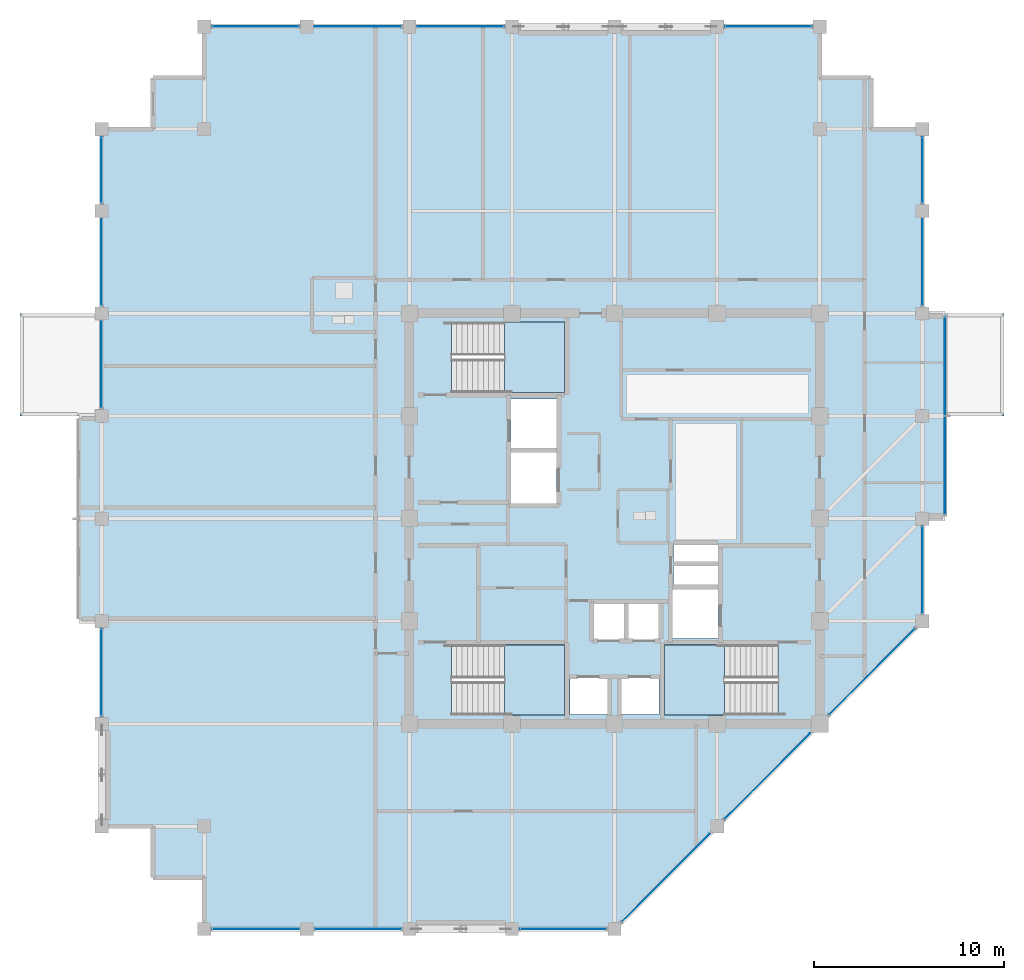
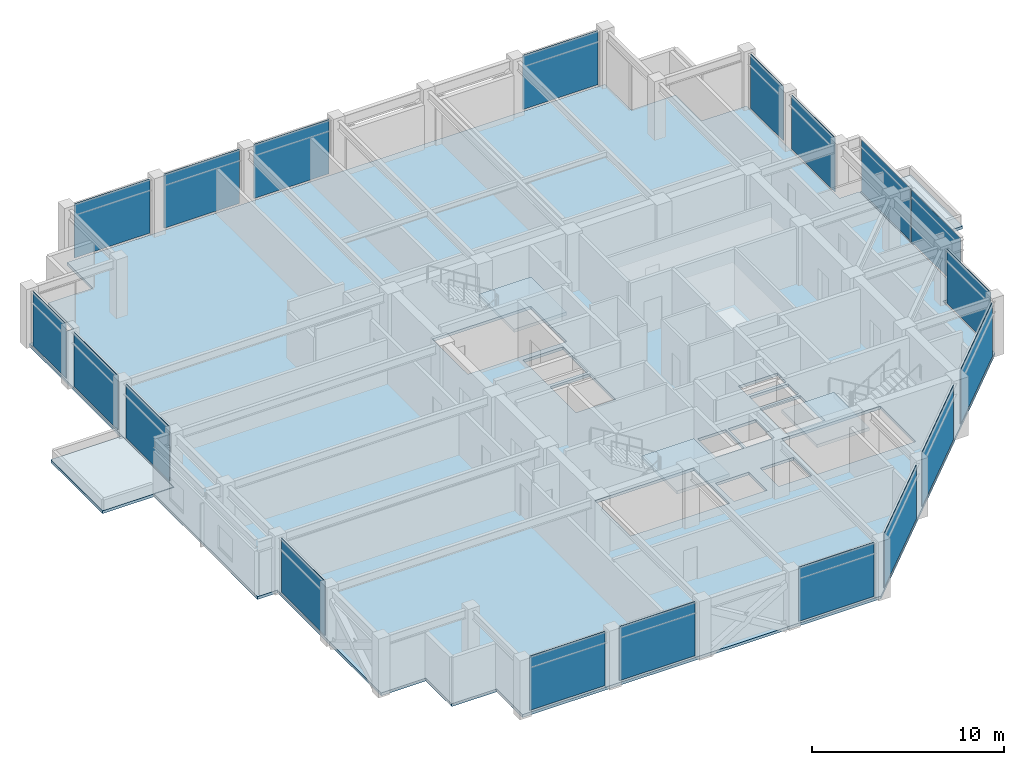
# One storey, part 22 of 31: 19 plates, 6 slabs, 13 elements without a shape of their own.
"""IFC4 building model written with IfcOpenShell, lengths in metres."""

from ifc_helpers import new_model, si_unit, direction, frame, frame_2d, origin, place, context, subcontext, project, spatial, polyline, rectangle, outline, extrude, material, layer, layer_set, type_object, element, aggregate, save


model = new_model("IFC4")

# Units and contexts
model_context = context("Model", 3, precision=1e-05, world=origin(), true_north=direction((0.0, 1.0)))
body_context = subcontext(model_context, "Body", "Model", "MODEL_VIEW")
ifc_project = project(units=[si_unit("LENGTHUNIT", "METRE"), si_unit("AREAUNIT", "SQUARE_METRE"), si_unit("VOLUMEUNIT", "CUBIC_METRE"), si_unit("PLANEANGLEUNIT", "RADIAN"), si_unit("MASSUNIT", "GRAM", prefix="KILO")], contexts=[model_context])

# Site, building, storey
site_placement = place(None, origin())
site = spatial("IfcSite", under=ifc_project, at=site_placement, CompositionType="ELEMENT")
building_placement = place(site_placement, origin())
building = spatial("IfcBuilding", under=site, at=building_placement, Name="Surkhivell Harbour Commons", CompositionType="ELEMENT")
storey_placement = place(building_placement, frame((0.0, 0.0, 270.0)))
storey = spatial("IfcBuildingStorey", under=building, at=storey_placement, Name="L70", CompositionType="ELEMENT", Elevation=270.0)

# Curtain wall, plates
ifc_material_1 = material(Name="Anodised pale-metal aluminium and insulated glazing", Category="aluminium")
ifc_layer_1 = layer(ifc_material_1, 0.1650390625)
ifc_layer_set_1 = layer_set([ifc_layer_1], Name="Anodised pale-metal aluminium and insulated glazing")
curtain_wall_type_1 = type_object("IfcCurtainWallType", Name="CW-SYS-BOX", PredefinedType="NOTDEFINED", material=ifc_layer_set_1)
curtain_wall_1_placement = place(storey_placement, origin())
curtain_wall_1 = element("IfcCurtainWall", 1, at=curtain_wall_1_placement, inside=storey, type_object=curtain_wall_type_1, Name="L70 Curtain Wall CW-L70-BOX01", PredefinedType="NOTDEFINED")
ifc_material_2 = material(Name="Triple-glazed bay-cluster vision glass", Category="glass")
ifc_layer_2 = layer(ifc_material_2, 0.028076171875)
ifc_layer_set_2 = layer_set([ifc_layer_2], Name="Triple-glazed bay-cluster vision glass")
plate_type_1 = type_object("IfcPlateType", Name="CWP-GLZ-28", PredefinedType="CURTAIN_PANEL", material=ifc_layer_set_2)
plate_1_placement = place(storey_placement, frame((17.39990234375, 0.219970703125, 0.1298828125), z_axis=(0.0, 0.0, 1.0), x_axis=(0.0, 1.0, 0.0)))
plate_1 = element("IfcPlate", 2, at=plate_1_placement, type_object=plate_type_1, Name="CW-BOX panel 1.1", PredefinedType="CURTAIN_PANEL", context=body_context, shape_type="SweptSolid", body=[
    extrude(rectangle(XDim=5.14501953125, YDim=0.028076171875, at=frame_2d((2.572509765625, 0.0))), origin(), (0.0, 0.0, 1.0), 3.31005859375),
])
plate_2_placement = place(storey_placement, frame((17.39990234375, 5.43505859375, 0.1298828125), z_axis=(0.0, 0.0, 1.0), x_axis=(0.0, 1.0, 0.0)))
plate_2 = element("IfcPlate", 3, at=plate_2_placement, type_object=plate_type_1, Name="CW-BOX panel 2.1", PredefinedType="CURTAIN_PANEL", context=body_context, shape_type="SweptSolid", body=[
    extrude(rectangle(XDim=5.14501953125, YDim=0.028076171875, at=frame_2d((2.572509765625, 0.0))), origin(), (0.0, 0.0, 1.0), 3.31005859375),
])
aggregate(curtain_wall_1, [plate_1, plate_2])

ifc_layer_3 = layer(ifc_material_1, 0.175048828125)
ifc_layer_set_3 = layer_set([ifc_layer_3], Name="Anodised pale-metal aluminium and insulated glazing")
curtain_wall_type_2 = type_object("IfcCurtainWallType", Name="CW-SYS-Z4", PredefinedType="NOTDEFINED", material=ifc_layer_set_3)
curtain_wall_2_placement = place(storey_placement, origin())
curtain_wall_2 = element("IfcCurtainWall", 4, at=curtain_wall_2_placement, inside=storey, type_object=curtain_wall_type_2, Name="L70 Curtain Wall CW-L70-E00S1", PredefinedType="NOTDEFINED")
ifc_material_3 = material(Name="Double-silver low-E laminated vision glass", Category="glass")
ifc_layer_4 = layer(ifc_material_3, 0.031982421875)
ifc_layer_set_4 = layer_set([ifc_layer_4], Name="Double-silver low-E laminated vision glass")
plate_type_2 = type_object("IfcPlateType", Name="CWP-GLZ-32", PredefinedType="CURTAIN_PANEL", material=ifc_layer_set_4)
plate_3_placement = place(storey_placement, frame((-21.173095703125, -21.60009765625, 0.1298828125), z_axis=(0.0, 0.0, 1.0), x_axis=(1.0, 0.0, 0.0)))
plate_3 = element("IfcPlate", 5, at=plate_3_placement, type_object=plate_type_2, Name="CW-Z4 panel 1.1", PredefinedType="CURTAIN_PANEL", context=body_context, shape_type="SweptSolid", body=[
    extrude(rectangle(XDim=4.546142578125, YDim=0.031982421875, at=frame_2d((2.27294921875, 0.0))), origin(), (0.0, 0.0, 1.0), 3.440185546875),
])
plate_4_placement = place(storey_placement, frame((-15.77294921875, -21.60009765625, 0.1298828125), z_axis=(0.0, 0.0, 1.0), x_axis=(1.0, 0.0, 0.0)))
plate_4 = element("IfcPlate", 6, at=plate_4_placement, type_object=plate_type_2, Name="CW-Z4 panel 2.1", PredefinedType="CURTAIN_PANEL", context=body_context, shape_type="SweptSolid", body=[
    extrude(rectangle(XDim=4.5458984375, YDim=0.031982421875, at=frame_2d((2.27294921875, 0.0))), origin(), (0.0, 0.0, 1.0), 3.440185546875),
])
aggregate(curtain_wall_2, [plate_3, plate_4])

# Curtain wall, plate
curtain_wall_3_placement = place(storey_placement, origin())
curtain_wall_3 = element("IfcCurtainWall", 7, at=curtain_wall_3_placement, inside=storey, type_object=curtain_wall_type_2, Name="L70 Curtain Wall CW-L70-E00S2", PredefinedType="NOTDEFINED")
plate_5_placement = place(storey_placement, frame((-4.972900390625, -21.60009765625, 0.1298828125), z_axis=(0.0, 0.0, 1.0), x_axis=(1.0, 0.0, 0.0)))
plate_5 = element("IfcPlate", 8, at=plate_5_placement, type_object=plate_type_2, Name="CW-Z4 panel 1.1", PredefinedType="CURTAIN_PANEL", context=body_context, shape_type="SweptSolid", body=[
    extrude(rectangle(XDim=4.5458984375, YDim=0.031982421875, at=frame_2d((2.27294921875, 0.0))), origin(), (0.0, 0.0, 1.0), 3.440185546875),
])
aggregate(curtain_wall_3, [plate_5])

# Curtain wall, plates
curtain_wall_4_placement = place(storey_placement, origin())
curtain_wall_4 = element("IfcCurtainWall", 9, at=curtain_wall_4_placement, inside=storey, type_object=curtain_wall_type_2, Name="L70 Curtain Wall CW-L70-E01", PredefinedType="NOTDEFINED")
plate_6_placement = place(storey_placement, frame((0.404541015625, -21.1953125, 0.1298828125), z_axis=(0.0, 0.0, 1.0), x_axis=(0.707125583467, 0.707087978406, 0.0)))
plate_6 = element("IfcPlate", 10, at=plate_6_placement, type_object=plate_type_2, Name="CW-Z4 panel 1.1", PredefinedType="CURTAIN_PANEL", context=body_context, shape_type="SweptSolid", body=[
    extrude(rectangle(XDim=6.4921875, YDim=0.031982421875, at=frame_2d((3.24609375, 0.0))), origin(), (0.0, 0.0, 1.0), 3.440185546875),
])
plate_7_placement = place(storey_placement, frame((5.8046875, -15.79541015625, 0.1298828125), z_axis=(0.0, 0.0, 1.0), x_axis=(0.707106781187, 0.707106781187, 0.0)))
plate_7 = element("IfcPlate", 11, at=plate_7_placement, type_object=plate_type_2, Name="CW-Z4 panel 2.1", PredefinedType="CURTAIN_PANEL", context=body_context, shape_type="SweptSolid", body=[
    extrude(rectangle(XDim=6.350830078125, YDim=0.031982421875, at=frame_2d((3.17529296875, 0.0))), origin(), (0.0, 0.0, 1.0), 3.440185546875),
])
plate_8_placement = place(storey_placement, frame((11.3046875, -10.29541015625, 0.1298828125), z_axis=(0.0, 0.0, 1.0), x_axis=(0.707106781187, 0.707106781187, 0.0)))
plate_8 = element("IfcPlate", 12, at=plate_8_placement, type_object=plate_type_2, Name="CW-Z4 panel 3.1", PredefinedType="CURTAIN_PANEL", context=body_context, shape_type="SweptSolid", body=[
    extrude(rectangle(XDim=6.350830078125, YDim=0.031982421875, at=frame_2d((3.17529296875, 0.0))), origin(), (0.0, 0.0, 1.0), 3.440185546875),
])
aggregate(curtain_wall_4, [plate_6, plate_7, plate_8])

# Curtain wall, plate
curtain_wall_5_placement = place(storey_placement, origin())
curtain_wall_5 = element("IfcCurtainWall", 13, at=curtain_wall_5_placement, inside=storey, type_object=curtain_wall_type_2, Name="L70 Curtain Wall CW-L70-E02R1", PredefinedType="NOTDEFINED")
plate_9_placement = place(storey_placement, frame((16.199951171875, -4.972900390625, 0.1298828125), z_axis=(0.0, 0.0, 1.0), x_axis=(0.0, 1.0, 0.0)))
plate_9 = element("IfcPlate", 14, at=plate_9_placement, type_object=plate_type_2, Name="CW-Z4 panel 1.1", PredefinedType="CURTAIN_PANEL", context=body_context, shape_type="SweptSolid", body=[
    extrude(rectangle(XDim=4.5458984375, YDim=0.031982421875, at=frame_2d((2.27294921875, 0.0))), origin(), (0.0, 0.0, 1.0), 3.440185546875),
])
aggregate(curtain_wall_5, [plate_9])

# Curtain wall, plates
curtain_wall_6_placement = place(storey_placement, origin())
curtain_wall_6 = element("IfcCurtainWall", 15, at=curtain_wall_6_placement, inside=storey, type_object=curtain_wall_type_2, Name="L70 Curtain Wall CW-L70-E02R2", PredefinedType="NOTDEFINED")
plate_10_placement = place(storey_placement, frame((16.199951171875, 11.22705078125, 0.1298828125), z_axis=(0.0, 0.0, 1.0), x_axis=(0.0, 1.0, 0.0)))
plate_10 = element("IfcPlate", 16, at=plate_10_placement, type_object=plate_type_2, Name="CW-Z4 panel 1.1", PredefinedType="CURTAIN_PANEL", context=body_context, shape_type="SweptSolid", body=[
    extrude(rectangle(XDim=4.5458984375, YDim=0.031982421875, at=frame_2d((2.27294921875, 0.0))), origin(), (0.0, 0.0, 1.0), 3.440185546875),
])
plate_11_placement = place(storey_placement, frame((16.199951171875, 16.626953125, 0.1298828125), z_axis=(0.0, 0.0, 1.0), x_axis=(0.0, 1.0, 0.0)))
plate_11 = element("IfcPlate", 17, at=plate_11_placement, type_object=plate_type_2, Name="CW-Z4 panel 2.1", PredefinedType="CURTAIN_PANEL", context=body_context, shape_type="SweptSolid", body=[
    extrude(rectangle(XDim=3.446044921875, YDim=0.031982421875, at=frame_2d((1.72314453125, 0.0))), origin(), (0.0, 0.0, 1.0), 3.440185546875),
])
aggregate(curtain_wall_6, [plate_10, plate_11])

# Curtain wall, plate
curtain_wall_7_placement = place(storey_placement, origin())
curtain_wall_7 = element("IfcCurtainWall", 18, at=curtain_wall_7_placement, inside=storey, type_object=curtain_wall_type_2, Name="L70 Curtain Wall CW-L70-E07S1", PredefinedType="NOTDEFINED")
plate_12_placement = place(storey_placement, frame((10.373046875, 25.89990234375, 0.1298828125), z_axis=(0.0, 0.0, 1.0), x_axis=(-1.0, 0.0, 0.0)))
plate_12 = element("IfcPlate", 19, at=plate_12_placement, type_object=plate_type_2, Name="CW-Z4 panel 1.1", PredefinedType="CURTAIN_PANEL", context=body_context, shape_type="SweptSolid", body=[
    extrude(rectangle(XDim=4.546142578125, YDim=0.031982421875, at=frame_2d((2.27294921875, 0.0))), origin(), (0.0, 0.0, 1.0), 3.440185546875),
])
aggregate(curtain_wall_7, [plate_12])

# Curtain wall, plates
curtain_wall_8_placement = place(storey_placement, origin())
curtain_wall_8 = element("IfcCurtainWall", 20, at=curtain_wall_8_placement, inside=storey, type_object=curtain_wall_type_2, Name="L70 Curtain Wall CW-L70-E07S2", PredefinedType="NOTDEFINED")
plate_13_placement = place(storey_placement, frame((-5.826904296875, 25.89990234375, 0.1298828125), z_axis=(0.0, 0.0, 1.0), x_axis=(-1.0, 0.0, 0.0)))
plate_13 = element("IfcPlate", 21, at=plate_13_placement, type_object=plate_type_2, Name="CW-Z4 panel 1.1", PredefinedType="CURTAIN_PANEL", context=body_context, shape_type="SweptSolid", body=[
    extrude(rectangle(XDim=4.546142578125, YDim=0.031982421875, at=frame_2d((2.27294921875, 0.0))), origin(), (0.0, 0.0, 1.0), 3.440185546875),
])
plate_14_placement = place(storey_placement, frame((-11.22705078125, 25.89990234375, 0.1298828125), z_axis=(0.0, 0.0, 1.0), x_axis=(-1.0, 0.0, 0.0)))
plate_14 = element("IfcPlate", 22, at=plate_14_placement, type_object=plate_type_2, Name="CW-Z4 panel 2.1", PredefinedType="CURTAIN_PANEL", context=body_context, shape_type="SweptSolid", body=[
    extrude(rectangle(XDim=4.5458984375, YDim=0.031982421875, at=frame_2d((2.27294921875, 0.0))), origin(), (0.0, 0.0, 1.0), 3.440185546875),
])
plate_15_placement = place(storey_placement, frame((-16.626953125, 25.89990234375, 0.1298828125), z_axis=(0.0, 0.0, 1.0), x_axis=(-1.0, 0.0, 0.0)))
plate_15 = element("IfcPlate", 23, at=plate_15_placement, type_object=plate_type_2, Name="CW-Z4 panel 3.1", PredefinedType="CURTAIN_PANEL", context=body_context, shape_type="SweptSolid", body=[
    extrude(rectangle(XDim=4.546142578125, YDim=0.031982421875, at=frame_2d((2.27294921875, 0.0))), origin(), (0.0, 0.0, 1.0), 3.440185546875),
])
aggregate(curtain_wall_8, [plate_13, plate_14, plate_15])

# Curtain wall, plate
curtain_wall_9_placement = place(storey_placement, origin())
curtain_wall_9 = element("IfcCurtainWall", 24, at=curtain_wall_9_placement, inside=storey, type_object=curtain_wall_type_2, Name="L70 Curtain Wall CW-L70-E12R1S1", PredefinedType="NOTDEFINED")
plate_16_placement = place(storey_placement, frame((-27.0, -10.373046875, 0.1298828125), z_axis=(0.0, 0.0, 1.0), x_axis=(0.0, 1.0, 0.0)))
plate_16 = element("IfcPlate", 25, at=plate_16_placement, type_object=plate_type_2, Name="CW-Z4 panel 1.1", PredefinedType="CURTAIN_PANEL", context=body_context, shape_type="SweptSolid", body=[
    extrude(rectangle(XDim=4.546142578125, YDim=0.031982421875, at=frame_2d((2.27294921875, 0.0))), origin(), (0.0, 0.0, 1.0), 3.440185546875),
])
aggregate(curtain_wall_9, [plate_16])

# Curtain wall, plates
curtain_wall_10_placement = place(storey_placement, origin())
curtain_wall_10 = element("IfcCurtainWall", 26, at=curtain_wall_10_placement, inside=storey, type_object=curtain_wall_type_2, Name="L70 Curtain Wall CW-L70-E12R2", PredefinedType="NOTDEFINED")
plate_17_placement = place(storey_placement, frame((-27.0, 5.826904296875, 0.1298828125), z_axis=(0.0, 0.0, 1.0), x_axis=(0.0, 1.0, 0.0)))
plate_17 = element("IfcPlate", 27, at=plate_17_placement, type_object=plate_type_2, Name="CW-Z4 panel 1.1", PredefinedType="CURTAIN_PANEL", context=body_context, shape_type="SweptSolid", body=[
    extrude(rectangle(XDim=4.546142578125, YDim=0.031982421875, at=frame_2d((2.27294921875, 0.0))), origin(), (0.0, 0.0, 1.0), 3.440185546875),
])
plate_18_placement = place(storey_placement, frame((-27.0, 11.22705078125, 0.1298828125), z_axis=(0.0, 0.0, 1.0), x_axis=(0.0, 1.0, 0.0)))
plate_18 = element("IfcPlate", 28, at=plate_18_placement, type_object=plate_type_2, Name="CW-Z4 panel 2.1", PredefinedType="CURTAIN_PANEL", context=body_context, shape_type="SweptSolid", body=[
    extrude(rectangle(XDim=4.5458984375, YDim=0.031982421875, at=frame_2d((2.27294921875, 0.0))), origin(), (0.0, 0.0, 1.0), 3.440185546875),
])
plate_19_placement = place(storey_placement, frame((-27.0, 16.626953125, 0.1298828125), z_axis=(0.0, 0.0, 1.0), x_axis=(0.0, 1.0, 0.0)))
plate_19 = element("IfcPlate", 29, at=plate_19_placement, type_object=plate_type_2, Name="CW-Z4 panel 3.1", PredefinedType="CURTAIN_PANEL", context=body_context, shape_type="SweptSolid", body=[
    extrude(rectangle(XDim=3.446044921875, YDim=0.031982421875, at=frame_2d((1.72314453125, 0.0))), origin(), (0.0, 0.0, 1.0), 3.440185546875),
])
aggregate(curtain_wall_10, [plate_17, plate_18, plate_19])

# Slabs
ifc_material_4 = material(Name="Concrete C45/55", Category="concrete")
ifc_layer_5 = layer(ifc_material_4, 0.179931640625)
ifc_layer_set_5 = layer_set([ifc_layer_5], Name="Concrete C45/55")
slab_type_1 = type_object("IfcSlabType", Name="SLB-BOXRF-180", PredefinedType="ROOF", material=ifc_layer_set_5)
slab_1_placement = place(storey_placement, frame((0.0, 0.0, -0.179931640625)))
element("IfcSlab", 30, at=slab_1_placement, inside=storey, type_object=slab_type_1, Name="L70 Closed Box-Cluster Roof Slab 1", PredefinedType="ROOF", context=body_context, shape_type="SweptSolid", body=[
    extrude(outline(polyline([(20.5, 10.800048828125), (17.419921875, 10.800048828125), (17.419921875, 5.39990234375), (20.5, 5.39990234375), (20.5, 10.800048828125)])), origin(), (0.0, 0.0, 1.0), 0.179931640625),
])
slab_2_placement = place(storey_placement, frame((0.0, 0.0, -0.179931640625)))
element("IfcSlab", 31, at=slab_2_placement, inside=storey, type_object=slab_type_1, Name="L70 Closed Box-Cluster Roof Slab 2", PredefinedType="ROOF", context=body_context, shape_type="SweptSolid", body=[
    extrude(outline(polyline([(-31.300048828125, 5.39990234375), (-28.223388671875, 5.39990234375), (-28.216552734375, 5.4111328125), (-28.215576171875, 5.41259765625), (-28.214111328125, 5.4140625), (-28.212646484375, 5.41552734375), (-28.211181640625, 5.416748046875), (-28.20947265625, 5.417724609375), (-28.207763671875, 5.41845703125), (-28.205810546875, 5.419189453125), (-28.203857421875, 5.419677734375), (-28.201904296875, 5.419921875), (-28.199951171875, 5.419921875), (-27.02001953125, 5.419921875), (-27.02001953125, 10.800048828125), (-31.300048828125, 10.800048828125), (-31.300048828125, 5.39990234375)])), origin(), (0.0, 0.0, 1.0), 0.179931640625),
])

# Stair, slab
ifc_material_5 = material(Name="Precast concrete C45/55", Category="concrete")
stair_type = type_object("IfcStairType", Name="STR-DL-375", PredefinedType="HALF_TURN_STAIR", material=ifc_material_5)
stair_1_placement = place(storey_placement, origin())
stair_1 = element("IfcStair", 32, at=stair_1_placement, inside=storey, type_object=stair_type, Name="L70 Core Exit Stair ST1", PredefinedType="HALF_TURN_STAIR")
ifc_material_6 = material(Name="Reinforced concrete C45/55", Category="concrete")
ifc_layer_6 = layer(ifc_material_6, 0.199951171875)
ifc_layer_set_6 = layer_set([ifc_layer_6], Name="Reinforced concrete C45/55")
slab_type_2 = type_object("IfcSlabType", Name="SLB-ST-LND200", PredefinedType="LANDING", material=ifc_layer_set_6)
slab_3_placement = place(storey_placement, frame((0.0, 0.0, 1.675048828125)))
slab_3 = element("IfcSlab", 33, at=slab_3_placement, type_object=slab_type_2, Name="ST1 landing 1", PredefinedType="LANDING", context=body_context, shape_type="SweptSolid", body=[
    extrude(outline(polyline([(-5.7900390625, 6.639892578125), (-2.639892578125, 6.639892578125), (-2.639892578125, 10.340087890625), (-5.7900390625, 10.340087890625), (-5.7900390625, 6.639892578125)])), origin(), (0.0, 0.0, 1.0), 0.199951171875),
])
aggregate(stair_1, [slab_3])

stair_2_placement = place(storey_placement, origin())
stair_2 = element("IfcStair", 34, at=stair_2_placement, inside=storey, type_object=stair_type, Name="L70 Core Exit Stair ST2", PredefinedType="HALF_TURN_STAIR")
slab_4_placement = place(storey_placement, frame((0.0, 0.0, 1.675048828125)))
slab_4 = element("IfcSlab", 35, at=slab_4_placement, type_object=slab_type_2, Name="ST2 landing 1", PredefinedType="LANDING", context=body_context, shape_type="SweptSolid", body=[
    extrude(outline(polyline([(5.7900390625, -6.639892578125), (2.639892578125, -6.639892578125), (2.639892578125, -10.340087890625), (5.7900390625, -10.340087890625), (5.7900390625, -6.639892578125)])), origin(), (0.0, 0.0, 1.0), 0.199951171875),
])
aggregate(stair_2, [slab_4])

stair_3_placement = place(storey_placement, origin())
stair_3 = element("IfcStair", 36, at=stair_3_placement, inside=storey, type_object=stair_type, Name="L70 Core Exit Stair ST3", PredefinedType="HALF_TURN_STAIR")
slab_5_placement = place(storey_placement, frame((0.0, 0.0, 1.675048828125)))
slab_5 = element("IfcSlab", 37, at=slab_5_placement, type_object=slab_type_2, Name="ST3 landing 1", PredefinedType="LANDING", context=body_context, shape_type="SweptSolid", body=[
    extrude(outline(polyline([(-5.7900390625, -10.340087890625), (-2.639892578125, -10.340087890625), (-2.639892578125, -6.639892578125), (-5.7900390625, -6.639892578125), (-5.7900390625, -10.340087890625)])), origin(), (0.0, 0.0, 1.0), 0.199951171875),
])
aggregate(stair_3, [slab_5])

# Slab
ifc_layer_7 = layer(ifc_material_4, 0.179931640625)
ifc_layer_set_7 = layer_set([ifc_layer_7], Name="Concrete C45/55")
slab_type_3 = type_object("IfcSlabType", Name="SLB-TYP-180", PredefinedType="FLOOR", material=ifc_layer_set_7)
slab_6_placement = place(storey_placement, frame((0.0, 0.0, -0.179931640625)))
element("IfcSlab", 38, at=slab_6_placement, inside=storey, type_object=slab_type_3, Name="L70 Structural Floor Slab", PredefinedType="FLOOR", context=body_context, shape_type="SweptSolid", body=[
    extrude(outline(polyline([(-27.0, 20.5), (-27.0, 5.39990234375), (-28.199951171875, 5.39990234375), (-28.199951171875, -5.39990234375), (-27.0, -5.39990234375), (-27.0, -16.199951171875), (-24.300048828125, -16.199951171875), (-24.300048828125, -18.89990234375), (-21.60009765625, -18.89990234375), (-21.60009765625, -21.60009765625), (0.0, -21.60009765625), (16.199951171875, -5.39990234375), (16.199951171875, 0.0), (17.39990234375, 0.0), (17.39990234375, 10.800048828125), (16.199951171875, 10.800048828125), (16.199951171875, 20.5), (13.5, 20.5), (13.5, 23.199951171875), (10.800048828125, 23.199951171875), (10.800048828125, 25.89990234375), (-21.60009765625, 25.89990234375), (-21.60009765625, 23.199951171875), (-24.300048828125, 23.199951171875), (-24.300048828125, 20.5), (-27.0, 20.5)]), holes=[polyline([(-8.590087890625, 6.639892578125), (-2.639892578125, 6.639892578125), (-2.639892578125, 10.340087890625), (-8.590087890625, 10.340087890625), (-8.590087890625, 6.639892578125)]), polyline([(8.590087890625, -6.639892578125), (2.639892578125, -6.639892578125), (2.639892578125, -10.340087890625), (8.590087890625, -10.340087890625), (8.590087890625, -6.639892578125)]), polyline([(-8.590087890625, -10.340087890625), (-2.639892578125, -10.340087890625), (-2.639892578125, -6.639892578125), (-8.590087890625, -6.639892578125), (-8.590087890625, -10.340087890625)]), polyline([(-1.14990234375, -6.35009765625), (0.550048828125, -6.35009765625), (0.550048828125, -4.449951171875), (-1.14990234375, -4.449951171875), (-1.14990234375, -6.35009765625)]), polyline([(0.679931640625, -6.35009765625), (2.3798828125, -6.35009765625), (2.3798828125, -4.449951171875), (0.679931640625, -4.449951171875), (0.679931640625, -6.35009765625)]), polyline([(-2.35009765625, -10.300048828125), (-0.35009765625, -10.300048828125), (-0.35009765625, -8.39990234375), (-2.35009765625, -8.39990234375), (-2.35009765625, -10.300048828125)]), polyline([(0.35009765625, -10.300048828125), (2.35009765625, -10.300048828125), (2.35009765625, -8.39990234375), (0.35009765625, -8.39990234375), (0.35009765625, -10.300048828125)]), polyline([(-5.449951171875, 3.699951171875), (-3.050048828125, 3.699951171875), (-3.050048828125, 6.300048828125), (-5.449951171875, 6.300048828125), (-5.449951171875, 3.699951171875)]), polyline([(3.050048828125, -6.300048828125), (5.449951171875, -6.300048828125), (5.449951171875, -3.699951171875), (3.050048828125, -3.699951171875), (3.050048828125, -6.300048828125)]), polyline([(-5.449951171875, 0.800048828125), (-3.050048828125, 0.800048828125), (-3.050048828125, 3.5), (-5.449951171875, 3.5), (-5.449951171875, 0.800048828125)]), polyline([(3.10009765625, -3.550048828125), (5.449951171875, -3.550048828125), (5.449951171875, -2.47998046875), (3.10009765625, -2.47998046875), (3.10009765625, -3.550048828125)]), polyline([(3.10009765625, -2.280029296875), (5.449951171875, -2.280029296875), (5.449951171875, -1.35009765625), (3.10009765625, -1.35009765625), (3.10009765625, -2.280029296875)])]), origin(), (0.0, 0.0, 1.0), 0.179931640625),
])

save(model, "model.ifc")
